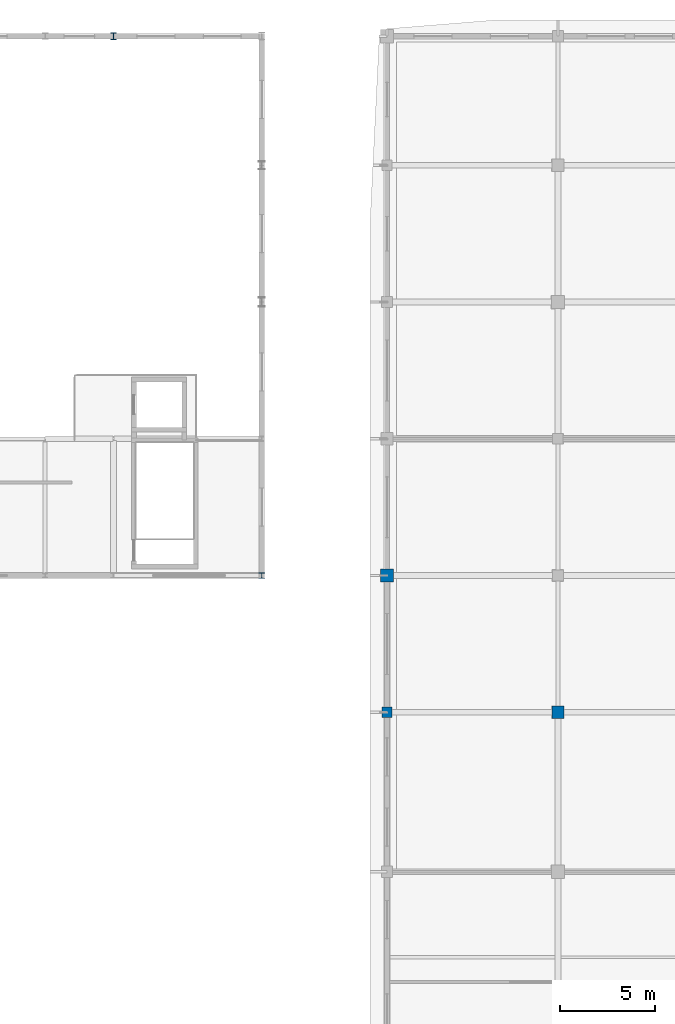
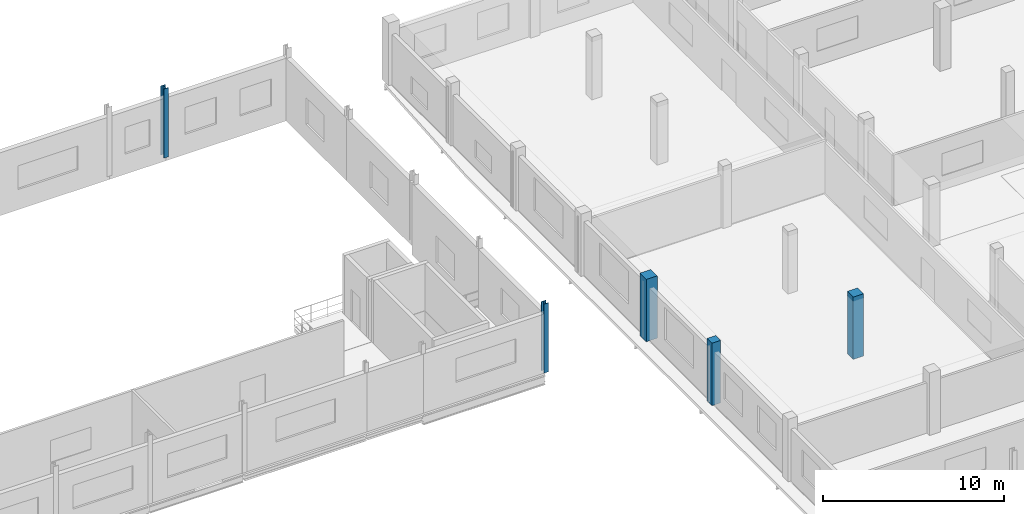
# One storey, part 24 of 121: 5 columns.
"""IFC4 building model written with IfcOpenShell, lengths in metres."""

from ifc_helpers import new_model, si_unit, direction, frame, origin, origin_2d, place, context, subcontext, project, spatial, rectangle, i_section, extrude, material, material_profile, profile_set, type_object, element, save


model = new_model("IFC4")

# Units and contexts
model_context = context("Model", 3, precision=1e-05, world=origin(), true_north=direction((0.0, 1.0)))
body_context = subcontext(model_context, "Body", "Model", "MODEL_VIEW")
ifc_project = project(units=[si_unit("LENGTHUNIT", "METRE"), si_unit("AREAUNIT", "SQUARE_METRE"), si_unit("VOLUMEUNIT", "CUBIC_METRE"), si_unit("PLANEANGLEUNIT", "RADIAN"), si_unit("MASSUNIT", "GRAM", prefix="KILO")], contexts=[model_context])

# Site, building, storey
site_placement = place(None, origin())
site = spatial("IfcSite", under=ifc_project, at=site_placement, CompositionType="ELEMENT")
building_placement = place(site_placement, origin())
building = spatial("IfcBuilding", under=site, at=building_placement, Name="Vinh Khe Railworks Police Headquarters", CompositionType="ELEMENT")
storey_placement = place(building_placement, frame((0.0, 0.0, 4.800048828125)))
storey = spatial("IfcBuildingStorey", under=building, at=storey_placement, Name="L01", CompositionType="ELEMENT", Elevation=4.800048828125)

# Columns
ifc_material_1 = material(Name="Concrete C40/50 (B40)", Category="concrete")
ifc_material_profile_1 = material_profile(ifc_material_1, rectangle(XDim=0.550048828125, YDim=0.550048828125, at=origin_2d()), Name="RC 550x550")
ifc_profile_set_1 = profile_set([ifc_material_profile_1], Name="Concrete C40/50 (B40)")
column_type_1 = type_object("IfcColumnType", Name="RC Column RC 550x550", PredefinedType="COLUMN", material=ifc_profile_set_1)
column_1_placement = place(storey_placement, frame((78.0, 130.800048828125, 0.0), z_axis=(0.0, 0.0, 1.0), x_axis=(1.0, 0.0, 0.0)))
element("IfcColumn", 1, at=column_1_placement, inside=storey, type_object=column_type_1, Name="Column COL-L01-CC-06-1172", PredefinedType="COLUMN", context=body_context, shape_type="SweptSolid", body=[
    extrude(rectangle(XDim=0.550048828125, YDim=0.550048828125, at=origin_2d()), origin(), (0.0, 0.0, 1.0), 4.199951171875),
])
ifc_material_profile_2 = material_profile(ifc_material_1, rectangle(XDim=0.64990234375, YDim=0.64990234375, at=origin_2d()), Name="RC 650x650")
ifc_profile_set_2 = profile_set([ifc_material_profile_2], Name="Concrete C40/50 (B40)")
column_type_2 = type_object("IfcColumnType", Name="RC Column RC 650x650", PredefinedType="COLUMN", material=ifc_profile_set_2)
column_2_placement = place(storey_placement, frame((87.0, 130.800048828125, 0.0), z_axis=(0.0, 0.0, 1.0), x_axis=(1.0, 0.0, 0.0)))
element("IfcColumn", 2, at=column_2_placement, inside=storey, type_object=column_type_2, Name="Column COL-L01-CC-04-1233", PredefinedType="COLUMN", context=body_context, shape_type="SweptSolid", body=[
    extrude(rectangle(XDim=0.64990234375, YDim=0.64990234375, at=origin_2d()), origin(), (0.0, 0.0, 1.0), 4.199951171875),
])
ifc_material_profile_3 = material_profile(ifc_material_1, rectangle(XDim=0.699951171875, YDim=0.699951171875, at=origin_2d()), Name="RC 700x700")
ifc_profile_set_3 = profile_set([ifc_material_profile_3], Name="Concrete C40/50 (B40)")
column_type_3 = type_object("IfcColumnType", Name="RC Column RC 700x700", PredefinedType="COLUMN", material=ifc_profile_set_3)
column_3_placement = place(storey_placement, frame((78.0, 138.0, 0.0), z_axis=(0.0, 0.0, 1.0), x_axis=(1.0, 0.0, 0.0)))
element("IfcColumn", 3, at=column_3_placement, inside=storey, type_object=column_type_3, Name="Column COL-L01-CC-03-1179", PredefinedType="COLUMN", context=body_context, shape_type="SweptSolid", body=[
    extrude(rectangle(XDim=0.699951171875, YDim=0.699951171875, at=origin_2d()), origin(), (0.0, 0.0, 1.0), 4.199951171875),
])
ifc_material_2 = material(Name="Steel S355JR", Category="steel")
ifc_material_profile_4 = material_profile(ifc_material_2, i_section(OverallWidth=0.300048828125, OverallDepth=0.300048828125, WebThickness=0.010986328125, FlangeThickness=0.01904296875, FilletRadius=0.027099609375, at=origin_2d()), Name="HEB 300")
ifc_profile_set_4 = profile_set([ifc_material_profile_4], Name="Steel S355JR")
column_type_4 = type_object("IfcColumnType", Name="Steel Column HEB 300", PredefinedType="COLUMN", material=ifc_profile_set_4)
column_4_placement = place(storey_placement, frame((71.39990234375, 138.0, 0.0), z_axis=(0.0, 0.0, 1.0), x_axis=(1.0, 0.0, 0.0)))
element("IfcColumn", 4, at=column_4_placement, inside=storey, type_object=column_type_4, Name="Column COL-L01-SC-11-1142", PredefinedType="COLUMN", context=body_context, shape_type="SweptSolid", body=[
    extrude(i_section(OverallWidth=0.300048828125, OverallDepth=0.300048828125, WebThickness=0.010986328125, FlangeThickness=0.01904296875, FilletRadius=0.027099609375, at=origin_2d()), origin(), (0.0, 0.0, 1.0), 4.64990234375),
])
ifc_material_profile_5 = material_profile(ifc_material_2, i_section(OverallWidth=0.300048828125, OverallDepth=0.360107421875, WebThickness=0.012451171875, FlangeThickness=0.0224609375, FilletRadius=0.027099609375, at=origin_2d()), Name="HEB 360")
ifc_profile_set_5 = profile_set([ifc_material_profile_5], Name="Steel S355JR")
column_type_5 = type_object("IfcColumnType", Name="Steel Column HEB 360", PredefinedType="COLUMN", material=ifc_profile_set_5)
column_5_placement = place(storey_placement, frame((63.60009765625, 166.39990234375, 0.0), z_axis=(0.0, 0.0, 1.0), x_axis=(1.0, 0.0, 0.0)))
element("IfcColumn", 5, at=column_5_placement, inside=storey, type_object=column_type_5, Name="Column COL-L01-SC-09-1136", PredefinedType="COLUMN", context=body_context, shape_type="SweptSolid", body=[
    extrude(i_section(OverallWidth=0.300048828125, OverallDepth=0.360107421875, WebThickness=0.012451171875, FlangeThickness=0.0224609375, FilletRadius=0.027099609375, at=origin_2d()), origin(), (0.0, 0.0, 1.0), 4.64990234375),
])

save(model, "model.ifc")
